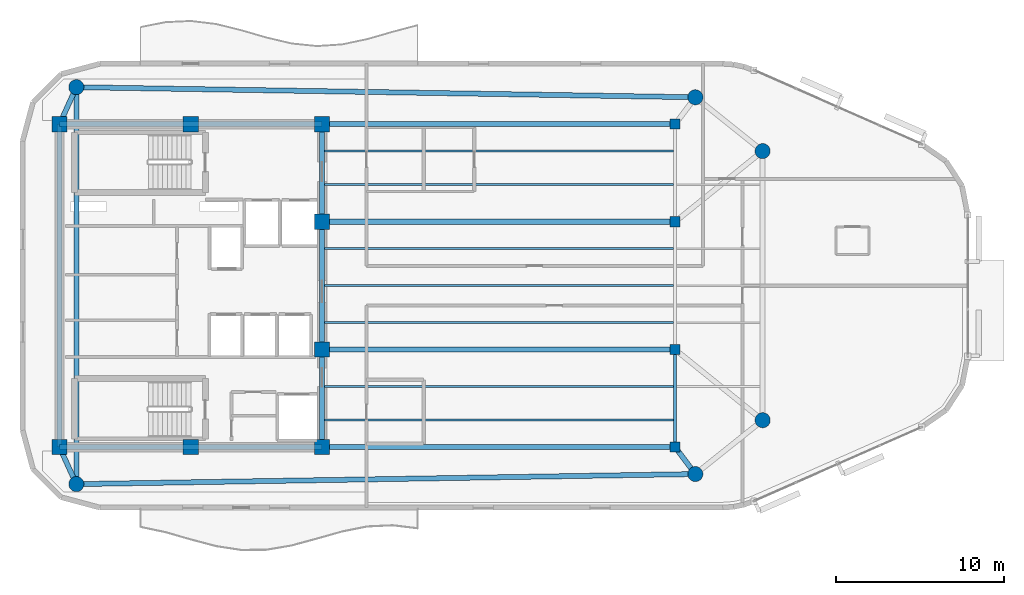
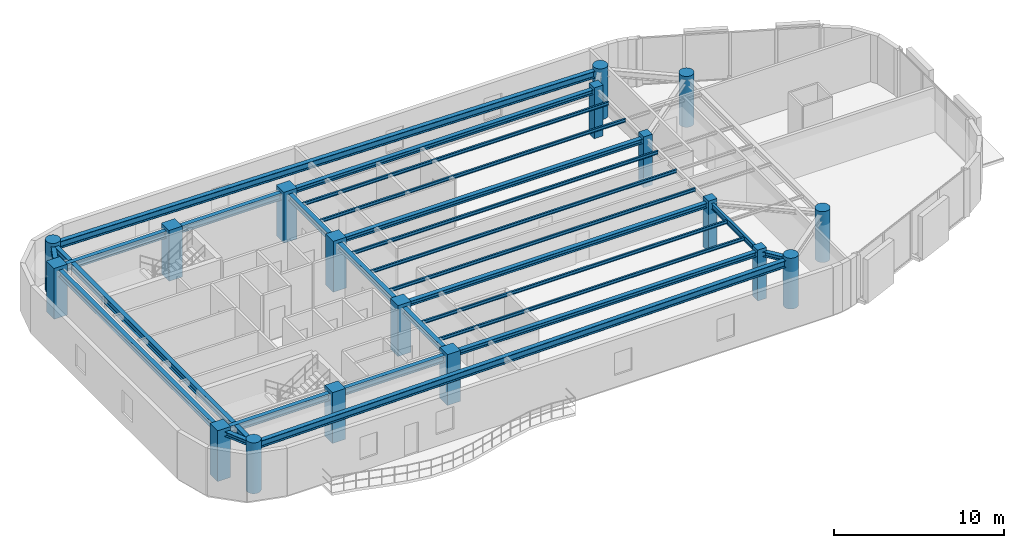
# One storey, part 1 of 12: 24 beams, 18 columns.
"""IFC4 building model written with IfcOpenShell, lengths in metres."""

from ifc_helpers import new_model, si_unit, direction, frame, origin, origin_2d, place, context, subcontext, project, spatial, rectangle, circle, i_section, extrude, material, material_profile, profile_set, type_object, element, save


model = new_model("IFC4")

# Units and contexts
model_context = context("Model", 3, precision=1e-05, world=origin(), true_north=direction((0.0, 1.0)))
body_context = subcontext(model_context, "Body", "Model", "MODEL_VIEW")
ifc_project = project(units=[si_unit("LENGTHUNIT", "METRE"), si_unit("AREAUNIT", "SQUARE_METRE"), si_unit("VOLUMEUNIT", "CUBIC_METRE"), si_unit("PLANEANGLEUNIT", "RADIAN"), si_unit("MASSUNIT", "GRAM", prefix="KILO")], contexts=[model_context])

# Site, building, storey
site_placement = place(None, origin())
site = spatial("IfcSite", under=ifc_project, at=site_placement, CompositionType="ELEMENT")
building_placement = place(site_placement, origin())
building = spatial("IfcBuilding", under=site, at=building_placement, Name="An Khanh Terracotta Commons", CompositionType="ELEMENT")
storey_placement = place(building_placement, frame((0.0, 0.0, 291.64990234375)))
storey = spatial("IfcBuildingStorey", under=building, at=storey_placement, Name="L76", CompositionType="ELEMENT", Elevation=291.64990234375)

# Columns
ifc_material_1 = material(Name="Concrete C50/60", Category="concrete")
ifc_material_profile_1 = material_profile(ifc_material_1, circle(Radius=0.449951171875, at=origin_2d()), Name="CFST900")
ifc_profile_set_1 = profile_set([ifc_material_profile_1], Name="Concrete C50/60")
column_type_1 = type_object("IfcColumnType", Name="COL-CFST900", PredefinedType="COLUMN", material=ifc_profile_set_1)
for number, where, z_axis, x_axis, name in (
    (1, (22.60009765625, 12.199951171875, 0.0), (0.0, 0.0, 1.0), (1.0, 0.0, 0.0), "L76 Perimeter CFST Mega-Column MC-01"),
    (2, (59.39990234375, 12.800048828125, 0.0), (0.0, 0.0, 1.0), (1.0, 0.0, 0.0), "L76 Perimeter CFST Mega-Column MC-02"),
    (3, (63.39990234375, 16.0, 0.0), (0.0, 0.0, 1.0), (1.0, 0.0, 0.0), "L76 Perimeter CFST Mega-Column MC-03"),
    (4, (63.39990234375, 32.0, 0.0), (0.0, 0.0, 1.0), (1.0, 0.0, 0.0), "L76 Perimeter CFST Mega-Column MC-04"),
    (5, (59.39990234375, 35.199951171875, 0.0), (0.0, 0.0, 1.0), (1.0, 0.0, 0.0), "L76 Perimeter CFST Mega-Column MC-05"),
    (6, (22.60009765625, 35.800048828125, 0.0), (0.0, 0.0, 1.0), (1.0, 0.0, 0.0), "L76 Perimeter CFST Mega-Column MC-06"),
):
    element("IfcColumn", number, at=place(storey_placement, frame(where, z_axis=z_axis, x_axis=x_axis)), inside=storey, type_object=column_type_1, Name=name, PredefinedType="COLUMN", context=body_context, shape_type="SweptSolid", body=[
        extrude(circle(Radius=0.449951171875, at=origin_2d()), origin(), (0.0, 0.0, 1.0), 3.650146484375),
    ])
ifc_material_profile_2 = material_profile(ifc_material_1, rectangle(XDim=0.60009765625, YDim=0.60009765625, at=origin_2d()), Name="RC600x600")
ifc_profile_set_2 = profile_set([ifc_material_profile_2], Name="Concrete C50/60")
column_type_2 = type_object("IfcColumnType", Name="COL-RC600x600", PredefinedType="COLUMN", material=ifc_profile_set_2)
for number, where, z_axis, x_axis, name in (
    (7, (58.199951171875, 14.39990234375, 0.0), (0.0, 0.0, 1.0), (1.0, 0.0, 0.0), "L76 Interior Frame Column TC-01"),
    (8, (58.199951171875, 20.199951171875, 0.0), (0.0, 0.0, 1.0), (1.0, 0.0, 0.0), "L76 Interior Frame Column TC-02"),
    (9, (58.199951171875, 27.800048828125, 0.0), (0.0, 0.0, 1.0), (1.0, 0.0, 0.0), "L76 Interior Frame Column TC-03"),
    (10, (58.199951171875, 33.60009765625, 0.0), (0.0, 0.0, 1.0), (1.0, 0.0, 0.0), "L76 Interior Frame Column TC-04"),
):
    element("IfcColumn", number, at=place(storey_placement, frame(where, z_axis=z_axis, x_axis=x_axis)), inside=storey, type_object=column_type_2, Name=name, PredefinedType="COLUMN", context=body_context, shape_type="SweptSolid", body=[
        extrude(rectangle(XDim=0.60009765625, YDim=0.60009765625, at=origin_2d()), origin(), (0.0, 0.0, 1.0), 3.650146484375),
    ])
ifc_material_profile_3 = material_profile(ifc_material_1, rectangle(XDim=0.89990234375, YDim=0.89990234375, at=origin_2d()), Name="RC900x900")
ifc_profile_set_3 = profile_set([ifc_material_profile_3], Name="Concrete C50/60")
column_type_3 = type_object("IfcColumnType", Name="COL-RC900x900", PredefinedType="COLUMN", material=ifc_profile_set_3)
for number, where, z_axis, x_axis, name in (
    (11, (21.60009765625, 14.39990234375, 0.0), (0.0, 0.0, 1.0), (1.0, 0.0, 0.0), "L76 Core Boundary Column CC-01"),
    (12, (29.39990234375, 14.39990234375, 0.0), (0.0, 0.0, 1.0), (1.0, 0.0, 0.0), "L76 Core Boundary Column CC-02"),
    (13, (37.199951171875, 14.39990234375, 0.0), (0.0, 0.0, 1.0), (1.0, 0.0, 0.0), "L76 Core Boundary Column CC-03"),
    (14, (37.199951171875, 20.199951171875, 0.0), (0.0, 0.0, 1.0), (1.0, 0.0, 0.0), "L76 Core Boundary Column CC-04"),
    (15, (37.199951171875, 27.800048828125, 0.0), (0.0, 0.0, 1.0), (1.0, 0.0, 0.0), "L76 Core Boundary Column CC-05"),
    (16, (37.199951171875, 33.60009765625, 0.0), (0.0, 0.0, 1.0), (1.0, 0.0, 0.0), "L76 Core Boundary Column CC-06"),
    (17, (29.39990234375, 33.60009765625, 0.0), (0.0, 0.0, 1.0), (1.0, 0.0, 0.0), "L76 Core Boundary Column CC-07"),
    (18, (21.60009765625, 33.60009765625, 0.0), (0.0, 0.0, 1.0), (1.0, 0.0, 0.0), "L76 Core Boundary Column CC-08"),
):
    element("IfcColumn", number, at=place(storey_placement, frame(where, z_axis=z_axis, x_axis=x_axis)), inside=storey, type_object=column_type_3, Name=name, PredefinedType="COLUMN", context=body_context, shape_type="SweptSolid", body=[
        extrude(rectangle(XDim=0.89990234375, YDim=0.89990234375, at=origin_2d()), origin(), (0.0, 0.0, 1.0), 3.650146484375),
    ])

# Beams
ifc_material_2 = material(Name="Steel S355J2", Category="steel")
ifc_material_profile_4 = material_profile(ifc_material_2, i_section(OverallWidth=0.300048828125, OverallDepth=0.340087890625, WebThickness=0.011962890625, FlangeThickness=0.021484375, FilletRadius=0.027099609375, at=origin_2d()), Name="HEB340")
ifc_profile_set_4 = profile_set([ifc_material_profile_4], Name="Steel S355J2")
beam_type_1 = type_object("IfcBeamType", Name="BM-HEB340", PredefinedType="BEAM", material=ifc_profile_set_4)
for number, where, z_axis, x_axis, name in (
    (19, (37.199951171875, 14.39990234375, 3.239990234375), (1.0, 0.0, 0.0), (0.0, 1.0, 0.0), "L76 East Primary Floor Girder 1"),
    (20, (37.199951171875, 20.199951171875, 3.239990234375), (1.0, 0.0, 0.0), (0.0, 1.0, 0.0), "L76 East Primary Floor Girder 2"),
    (21, (37.199951171875, 27.800048828125, 3.239990234375), (1.0, 0.0, 0.0), (0.0, 1.0, 0.0), "L76 East Primary Floor Girder 3"),
    (22, (37.199951171875, 33.60009765625, 3.239990234375), (1.0, 0.0, 0.0), (0.0, 1.0, 0.0), "L76 East Primary Floor Girder 4"),
):
    element("IfcBeam", number, at=place(storey_placement, frame(where, z_axis=z_axis, x_axis=x_axis)), inside=storey, type_object=beam_type_1, Name=name, PredefinedType="BEAM", context=body_context, shape_type="SweptSolid", body=[
        extrude(i_section(OverallWidth=0.300048828125, OverallDepth=0.340087890625, WebThickness=0.011962890625, FlangeThickness=0.021484375, FilletRadius=0.027099609375, at=origin_2d()), origin(), (0.0, 0.0, 1.0), 21.0),
    ])
beam_1_placement = place(storey_placement, frame((22.60009765625, 12.199951171875, 3.239990234375), z_axis=(-0.413810555983, 0.910363017569, 0.0), x_axis=(-0.910363017569, -0.413810555983, 0.0)))
element("IfcBeam", 23, at=beam_1_placement, inside=storey, type_object=beam_type_1, Name="L76 Mega-Column Tie Girder 1", PredefinedType="BEAM", context=body_context, shape_type="SweptSolid", body=[
    extrude(i_section(OverallWidth=0.300048828125, OverallDepth=0.340087890625, WebThickness=0.011962890625, FlangeThickness=0.021484375, FilletRadius=0.027099609375, at=origin_2d()), origin(), (0.0, 0.0, 1.0), 2.41650390625),
])
beam_2_placement = place(storey_placement, frame((59.39990234375, 12.800048828125, 3.239990234375), z_axis=(-0.600019532502, 0.799985350251, 0.0), x_axis=(-0.799985350251, -0.600019532502, 0.0)))
element("IfcBeam", 24, at=beam_2_placement, inside=storey, type_object=beam_type_1, Name="L76 Mega-Column Tie Girder 2", PredefinedType="BEAM", context=body_context, shape_type="SweptSolid", body=[
    extrude(i_section(OverallWidth=0.300048828125, OverallDepth=0.340087890625, WebThickness=0.011962890625, FlangeThickness=0.021484375, FilletRadius=0.027099609375, at=origin_2d()), origin(), (0.0, 0.0, 1.0), 1.999755859375),
])
beam_3_placement = place(storey_placement, frame((22.60009765625, 35.800048828125, 3.239990234375), z_axis=(-0.413810555983, -0.910363017569, 0.0), x_axis=(0.910363017569, -0.413810555983, 0.0)))
element("IfcBeam", 25, at=beam_3_placement, inside=storey, type_object=beam_type_1, Name="L76 Mega-Column Tie Girder 6", PredefinedType="BEAM", context=body_context, shape_type="SweptSolid", body=[
    extrude(i_section(OverallWidth=0.300048828125, OverallDepth=0.340087890625, WebThickness=0.011962890625, FlangeThickness=0.021484375, FilletRadius=0.027099609375, at=origin_2d()), origin(), (0.0, 0.0, 1.0), 2.41650390625),
])
ifc_material_profile_5 = material_profile(ifc_material_2, i_section(OverallWidth=0.300048828125, OverallDepth=0.449951171875, WebThickness=0.013916015625, FlangeThickness=0.02587890625, FilletRadius=0.027099609375, at=origin_2d()), Name="HEB450")
ifc_profile_set_5 = profile_set([ifc_material_profile_5], Name="Steel S355J2")
beam_type_2 = type_object("IfcBeamType", Name="BM-HEB450", PredefinedType="BEAM", material=ifc_profile_set_5)
beam_4_placement = place(storey_placement, frame((37.199951171875, 14.39990234375, 3.18505859375), z_axis=(0.0, 1.0, 0.0), x_axis=(-1.0, 0.0, 0.0)))
element("IfcBeam", 26, at=beam_4_placement, inside=storey, type_object=beam_type_2, Name="L76 Core East Coupling Girder 1", PredefinedType="BEAM", context=body_context, shape_type="SweptSolid", body=[
    extrude(i_section(OverallWidth=0.300048828125, OverallDepth=0.449951171875, WebThickness=0.013916015625, FlangeThickness=0.02587890625, FilletRadius=0.027099609375, at=origin_2d()), origin(), (0.0, 0.0, 1.0), 5.800048828125),
])
beam_5_placement = place(storey_placement, frame((37.199951171875, 20.199951171875, 3.18505859375), z_axis=(0.0, 1.0, 0.0), x_axis=(-1.0, 0.0, 0.0)))
element("IfcBeam", 27, at=beam_5_placement, inside=storey, type_object=beam_type_2, Name="L76 Core East Coupling Girder 2", PredefinedType="BEAM", context=body_context, shape_type="SweptSolid", body=[
    extrude(i_section(OverallWidth=0.300048828125, OverallDepth=0.449951171875, WebThickness=0.013916015625, FlangeThickness=0.02587890625, FilletRadius=0.027099609375, at=origin_2d()), origin(), (0.0, 0.0, 1.0), 7.60009765625),
])
beam_6_placement = place(storey_placement, frame((37.199951171875, 27.800048828125, 3.18505859375), z_axis=(0.0, 1.0, 0.0), x_axis=(-1.0, 0.0, 0.0)))
element("IfcBeam", 28, at=beam_6_placement, inside=storey, type_object=beam_type_2, Name="L76 Core East Coupling Girder 3", PredefinedType="BEAM", context=body_context, shape_type="SweptSolid", body=[
    extrude(i_section(OverallWidth=0.300048828125, OverallDepth=0.449951171875, WebThickness=0.013916015625, FlangeThickness=0.02587890625, FilletRadius=0.027099609375, at=origin_2d()), origin(), (0.0, 0.0, 1.0), 5.800048828125),
])
beam_7_placement = place(storey_placement, frame((21.60009765625, 14.39990234375, 3.18505859375), z_axis=(0.0, 1.0, 0.0), x_axis=(-1.0, 0.0, 0.0)))
element("IfcBeam", 29, at=beam_7_placement, inside=storey, type_object=beam_type_2, Name="L76 Core West Coupling Girder", PredefinedType="BEAM", context=body_context, shape_type="SweptSolid", body=[
    extrude(i_section(OverallWidth=0.300048828125, OverallDepth=0.449951171875, WebThickness=0.013916015625, FlangeThickness=0.02587890625, FilletRadius=0.027099609375, at=origin_2d()), origin(), (0.0, 0.0, 1.0), 19.2001953125),
])
ifc_material_profile_6 = material_profile(ifc_material_2, i_section(OverallWidth=0.300048828125, OverallDepth=0.5, WebThickness=0.014404296875, FlangeThickness=0.028076171875, FilletRadius=0.027099609375, at=origin_2d()), Name="HEB500")
ifc_profile_set_6 = profile_set([ifc_material_profile_6], Name="Steel S355J2")
beam_type_3 = type_object("IfcBeamType", Name="BM-HEB500", PredefinedType="BEAM", material=ifc_profile_set_6)
for number, where, z_axis, x_axis, name in (
    (30, (21.60009765625, 14.39990234375, 3.16015625), (1.0, 0.0, 0.0), (0.0, 1.0, 0.0), "L76 Core South Coupling Girder"),
    (31, (21.60009765625, 33.60009765625, 3.16015625), (1.0, 0.0, 0.0), (0.0, 1.0, 0.0), "L76 Core North Coupling Girder"),
):
    element("IfcBeam", number, at=place(storey_placement, frame(where, z_axis=z_axis, x_axis=x_axis)), inside=storey, type_object=beam_type_3, Name=name, PredefinedType="BEAM", context=body_context, shape_type="SweptSolid", body=[
        extrude(i_section(OverallWidth=0.300048828125, OverallDepth=0.5, WebThickness=0.014404296875, FlangeThickness=0.028076171875, FilletRadius=0.027099609375, at=origin_2d()), origin(), (0.0, 0.0, 1.0), 15.599853515625),
    ])
for number, where, z_axis, x_axis, name in (
    (32, (22.60009765625, 12.199951171875, 3.16015625), (0.999867065951, 0.01630492031, 0.0), (-0.01630492031, 0.999867065951, 0.0), "L76 Perimeter Ring Spandrel 1"),
    (33, (59.39990234375, 35.199951171875, 3.16015625), (-0.999867065951, 0.01630492031, 0.0), (-0.01630492031, -0.999867065951, 0.0), "L76 Perimeter Ring Spandrel 5"),
):
    element("IfcBeam", number, at=place(storey_placement, frame(where, z_axis=z_axis, x_axis=x_axis)), inside=storey, type_object=beam_type_3, Name=name, PredefinedType="BEAM", context=body_context, shape_type="SweptSolid", body=[
        extrude(i_section(OverallWidth=0.300048828125, OverallDepth=0.5, WebThickness=0.014404296875, FlangeThickness=0.028076171875, FilletRadius=0.027099609375, at=origin_2d()), origin(), (0.0, 0.0, 1.0), 36.8046875),
    ])
beam_8_placement = place(storey_placement, frame((22.60009765625, 35.800048828125, 3.16015625), z_axis=(0.0, -1.0, 0.0), x_axis=(1.0, 0.0, 0.0)))
element("IfcBeam", 34, at=beam_8_placement, inside=storey, type_object=beam_type_3, Name="L76 Perimeter Ring Spandrel 6", PredefinedType="BEAM", context=body_context, shape_type="SweptSolid", body=[
    extrude(i_section(OverallWidth=0.300048828125, OverallDepth=0.5, WebThickness=0.014404296875, FlangeThickness=0.028076171875, FilletRadius=0.027099609375, at=origin_2d()), origin(), (0.0, 0.0, 1.0), 23.60009765625),
])
ifc_material_profile_7 = material_profile(ifc_material_2, i_section(OverallWidth=0.1201171875, OverallDepth=0.239990234375, WebThickness=0.006103515625, FlangeThickness=0.009765625, FilletRadius=0.014892578125, at=origin_2d()), Name="IPE240")
ifc_profile_set_7 = profile_set([ifc_material_profile_7], Name="Steel S355J2")
beam_type_4 = type_object("IfcBeamType", Name="BM-IPE240", PredefinedType="JOIST", material=ifc_profile_set_7)
for number, where, z_axis, x_axis, name in (
    (35, (37.199951171875, 16.0, 3.2900390625), (1.0, 0.0, 0.0), (0.0, 1.0, 0.0), "L76 Inboard Composite Joist 1"),
    (36, (37.199951171875, 18.0, 3.2900390625), (1.0, 0.0, 0.0), (0.0, 1.0, 0.0), "L76 Inboard Composite Joist 2"),
    (37, (37.199951171875, 21.800048828125, 3.2900390625), (1.0, 0.0, 0.0), (0.0, 1.0, 0.0), "L76 Inboard Composite Joist 3"),
    (38, (37.199951171875, 24.0, 3.2900390625), (1.0, 0.0, 0.0), (0.0, 1.0, 0.0), "L76 Inboard Composite Joist 4"),
    (39, (37.199951171875, 26.199951171875, 3.2900390625), (1.0, 0.0, 0.0), (0.0, 1.0, 0.0), "L76 Inboard Composite Joist 5"),
    (40, (37.199951171875, 30.0, 3.2900390625), (1.0, 0.0, 0.0), (0.0, 1.0, 0.0), "L76 Inboard Composite Joist 6"),
    (41, (37.199951171875, 32.0, 3.2900390625), (1.0, 0.0, 0.0), (0.0, 1.0, 0.0), "L76 Inboard Composite Joist 7"),
):
    element("IfcBeam", number, at=place(storey_placement, frame(where, z_axis=z_axis, x_axis=x_axis)), inside=storey, type_object=beam_type_4, Name=name, PredefinedType="JOIST", context=body_context, shape_type="SweptSolid", body=[
        extrude(i_section(OverallWidth=0.1201171875, OverallDepth=0.239990234375, WebThickness=0.006103515625, FlangeThickness=0.009765625, FilletRadius=0.014892578125, at=origin_2d()), origin(), (0.0, 0.0, 1.0), 20.91015625),
    ])
ifc_material_profile_8 = material_profile(ifc_material_2, i_section(OverallWidth=0.179931640625, OverallDepth=0.39990234375, WebThickness=0.008544921875, FlangeThickness=0.013427734375, FilletRadius=0.02099609375, at=origin_2d()), Name="IPE400")
ifc_profile_set_8 = profile_set([ifc_material_profile_8], Name="Steel S355J2")
beam_type_5 = type_object("IfcBeamType", Name="BM-IPE400", PredefinedType="JOIST", material=ifc_profile_set_8)
beam_9_placement = place(storey_placement, frame((58.199951171875, 14.550048828125, 3.210205078125), z_axis=(0.0, 1.0, 0.0), x_axis=(-1.0, 0.0, 0.0)))
element("IfcBeam", 42, at=beam_9_placement, inside=storey, type_object=beam_type_5, Name="L76 East Spine Girder 1", PredefinedType="JOIST", context=body_context, shape_type="SweptSolid", body=[
    extrude(i_section(OverallWidth=0.179931640625, OverallDepth=0.39990234375, WebThickness=0.008544921875, FlangeThickness=0.013427734375, FilletRadius=0.02099609375, at=origin_2d()), origin(), (0.0, 0.0, 1.0), 5.5),
])

save(model, "model.ifc")
